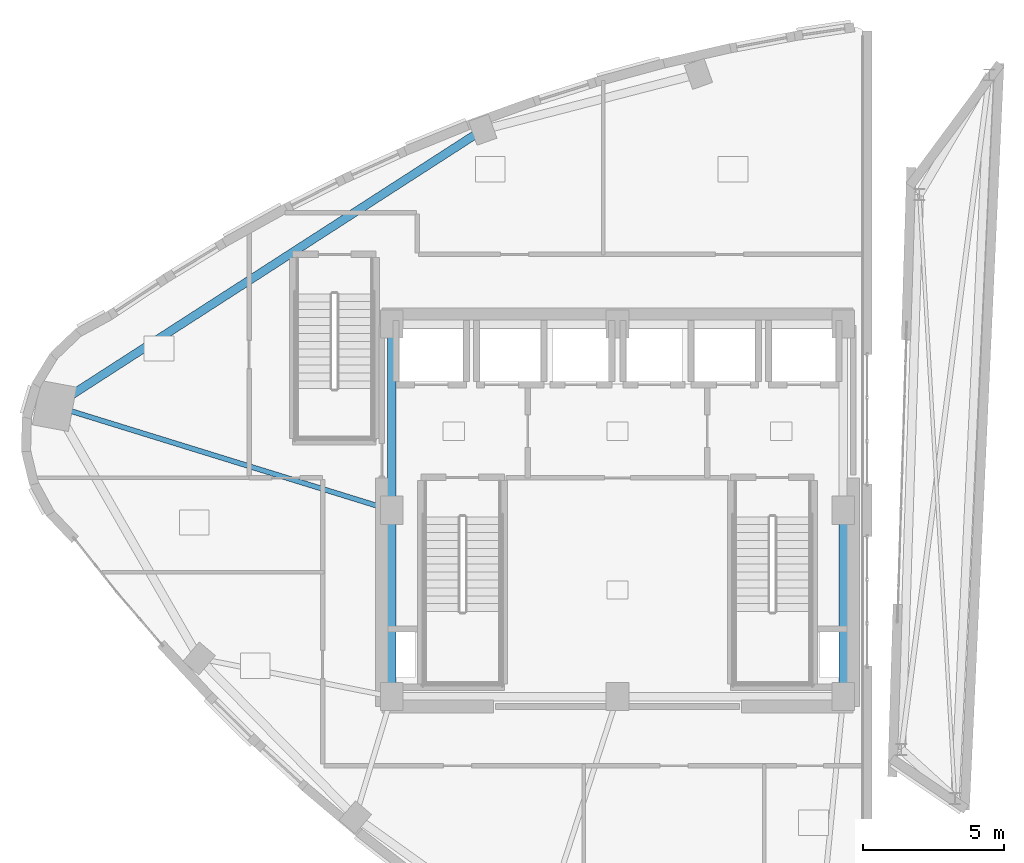
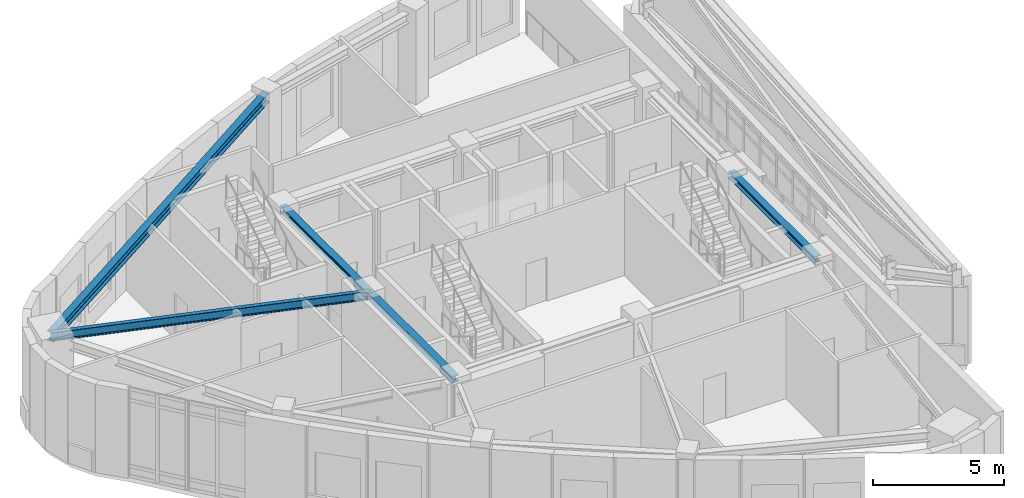
# One storey, part 6 of 19: 5 beams.
"""IFC4 building model written with IfcOpenShell, lengths in metres."""

from ifc_helpers import new_model, si_unit, direction, frame, origin, origin_2d, place, context, subcontext, project, spatial, i_section, extrude, material, material_profile, profile_set, type_object, element, save


model = new_model("IFC4")

# Units and contexts
model_context = context("Model", 3, precision=1e-05, world=origin(), true_north=direction((0.0, 1.0)))
body_context = subcontext(model_context, "Body", "Model", "MODEL_VIEW")
ifc_project = project(units=[si_unit("LENGTHUNIT", "METRE"), si_unit("AREAUNIT", "SQUARE_METRE"), si_unit("VOLUMEUNIT", "CUBIC_METRE"), si_unit("PLANEANGLEUNIT", "RADIAN"), si_unit("MASSUNIT", "GRAM", prefix="KILO")], contexts=[model_context])

# Site, building, storey
site_placement = place(None, origin())
site = spatial("IfcSite", under=ifc_project, at=site_placement, CompositionType="ELEMENT")
building_placement = place(site_placement, origin())
building = spatial("IfcBuilding", under=site, at=building_placement, Name="Ndelora Gate Hotel", CompositionType="ELEMENT")
storey_placement = place(building_placement, frame((0.0, 0.0, 290.39990234375)))
storey = spatial("IfcBuildingStorey", under=building, at=storey_placement, Name="L72", CompositionType="ELEMENT", Elevation=290.39990234375)

# Beams
ifc_material = material(Name="Steel S355", Category="steel")
ifc_material_profile_1 = material_profile(ifc_material, i_section(OverallWidth=0.300048828125, OverallDepth=0.300048828125, WebThickness=0.010986328125, FlangeThickness=0.01904296875, FilletRadius=0.027099609375, at=origin_2d()), Name="HEB 300")
ifc_profile_set_1 = profile_set([ifc_material_profile_1], Name="Steel S355")
beam_type_1 = type_object("IfcBeamType", Name="BM-CORE-300", PredefinedType="BEAM", material=ifc_profile_set_1)
for number, where, z_axis, x_axis, name in (
    (1, (-8.0, -6.60009765625, 3.97998046875), (0.0, 1.0, 0.0), (-1.0, 0.0, 0.0), "L72 Core Tie Girder CC1-CC8"),
    (2, (-8.0, 0.0, 3.97998046875), (0.0, 1.0, 0.0), (-1.0, 0.0, 0.0), "L72 Core Tie Girder CC8-CC7"),
    (3, (8.0, -6.60009765625, 3.97998046875), (0.0, 1.0, 0.0), (-1.0, 0.0, 0.0), "L72 Core Tie Girder CC3-CC4"),
):
    element("IfcBeam", number, at=place(storey_placement, frame(where, z_axis=z_axis, x_axis=x_axis)), inside=storey, type_object=beam_type_1, Name=name, PredefinedType="BEAM", context=body_context, shape_type="SweptSolid", body=[
        extrude(i_section(OverallWidth=0.300048828125, OverallDepth=0.300048828125, WebThickness=0.010986328125, FlangeThickness=0.01904296875, FilletRadius=0.027099609375, at=origin_2d()), origin(), (0.0, 0.0, 1.0), 6.60009765625),
    ])
ifc_material_profile_2 = material_profile(ifc_material, i_section(OverallWidth=0.179931640625, OverallDepth=0.39990234375, WebThickness=0.008544921875, FlangeThickness=0.013427734375, FilletRadius=0.02099609375, at=origin_2d()), Name="IPE 400")
ifc_profile_set_2 = profile_set([ifc_material_profile_2], Name="Steel S355")
beam_type_2 = type_object("IfcBeamType", Name="BM-RAD-400", PredefinedType="BEAM", material=ifc_profile_set_2)
beam_1_placement = place(storey_placement, frame((-8.0, 0.0, 3.93017578125), z_axis=(-0.955314894525, 0.295590007101, 0.0), x_axis=(-0.295590007101, -0.955314894525, 0.0)))
element("IfcBeam", 4, at=beam_1_placement, inside=storey, type_object=beam_type_2, Name="L72 structural beam FB-5", PredefinedType="BEAM", context=body_context, shape_type="SweptSolid", body=[
    extrude(i_section(OverallWidth=0.179931640625, OverallDepth=0.39990234375, WebThickness=0.008544921875, FlangeThickness=0.013427734375, FilletRadius=0.02099609375, at=origin_2d()), origin(), (0.0, 0.0, 1.0), 12.509033203125),
])
ifc_material_profile_3 = material_profile(ifc_material, i_section(OverallWidth=0.300048828125, OverallDepth=0.449951171875, WebThickness=0.013916015625, FlangeThickness=0.02587890625, FilletRadius=0.027099609375, at=origin_2d()), Name="HEB 450")
ifc_profile_set_3 = profile_set([ifc_material_profile_3], Name="Steel S355")
beam_type_3 = type_object("IfcBeamType", Name="BM-RING-450", PredefinedType="SPANDREL", material=ifc_profile_set_3)
beam_2_placement = place(storey_placement, frame((-4.7744140625, 13.482666015625, 3.905029296875), z_axis=(-0.840435702398, -0.541911275151, 0.0), x_axis=(0.541911275151, -0.840435702398, 0.0)))
element("IfcBeam", 5, at=beam_2_placement, inside=storey, type_object=beam_type_3, Name="L72 structural beam RB-5", PredefinedType="SPANDREL", context=body_context, shape_type="SweptSolid", body=[
    extrude(i_section(OverallWidth=0.300048828125, OverallDepth=0.449951171875, WebThickness=0.013916015625, FlangeThickness=0.02587890625, FilletRadius=0.027099609375, at=origin_2d()), origin(), (0.0, 0.0, 1.0), 18.056640625),
])

save(model, "model.ifc")
